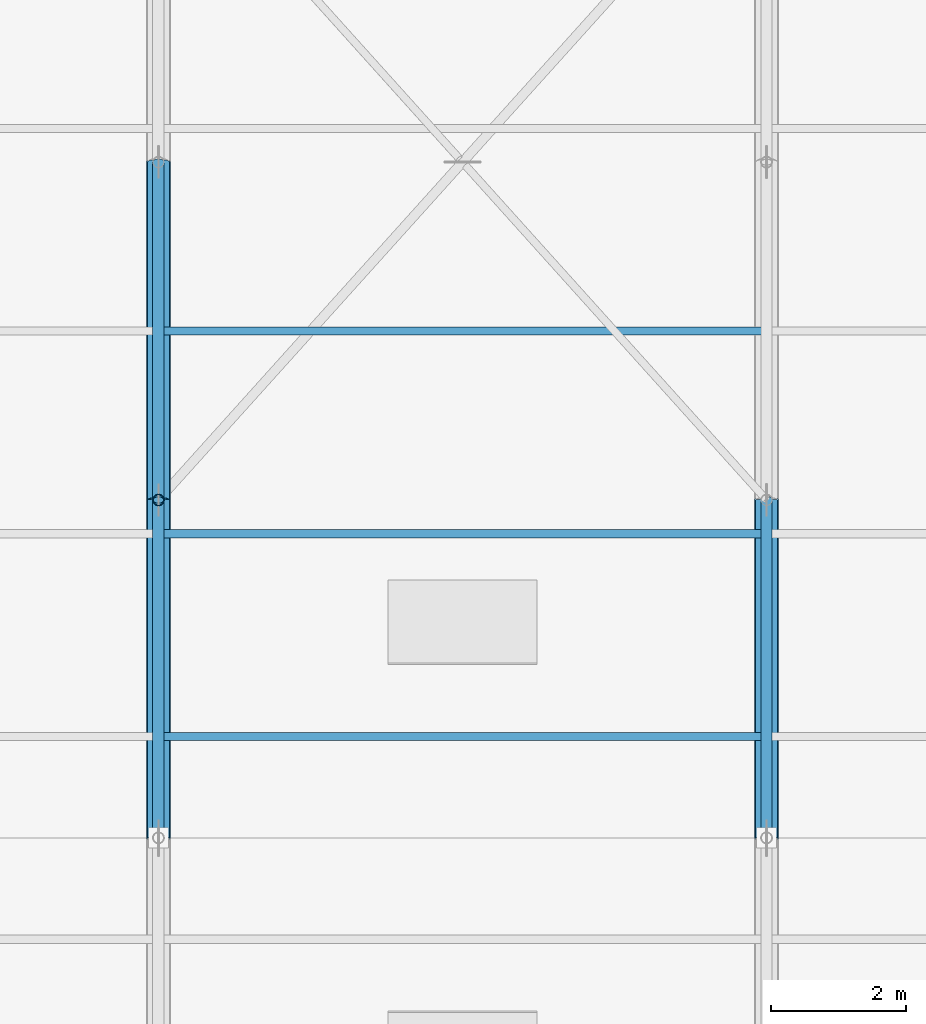
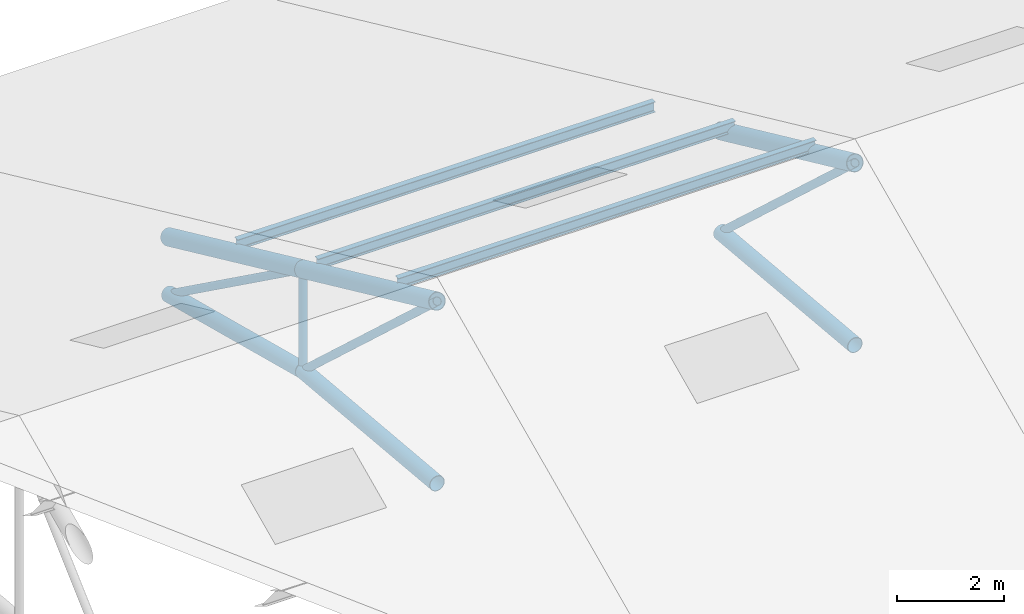
# One storey, part 22 of 107: 13 members.
"""IFC4 building model written with IfcOpenShell, lengths in metres."""

from ifc_helpers import new_model, si_unit, derived_unit, direction, frame, origin, origin_2d, place, context, subcontext, project, spatial, hollow_circle, i_section, extrude, material, material_profile, profile_set, type_object, element, save


model = new_model("IFC4")

# Units and contexts
model_context = context("Model", 3, precision=1e-05, world=origin(), true_north=direction((0.0, 1.0)))
body_context = subcontext(model_context, "Body", "Model", "MODEL_VIEW")
ifc_project = project(units=[si_unit("LENGTHUNIT", "METRE"), si_unit("AREAUNIT", "SQUARE_METRE"), si_unit("VOLUMEUNIT", "CUBIC_METRE"), si_unit("PLANEANGLEUNIT", "RADIAN"), si_unit("MASSUNIT", "GRAM", prefix="KILO"), si_unit("THERMODYNAMICTEMPERATUREUNIT", "KELVIN"), si_unit("TIMEUNIT", "SECOND"), derived_unit("THERMALTRANSMITTANCEUNIT", [(si_unit("MASSUNIT", "GRAM", prefix="KILO"), 1), (si_unit("THERMODYNAMICTEMPERATUREUNIT", "KELVIN"), -1), (si_unit("TIMEUNIT", "SECOND"), -3)])], contexts=[model_context])

# Site, building, storey
site_placement = place(None, origin())
site = spatial("IfcSite", under=ifc_project, at=site_placement, CompositionType="ELEMENT")
building_placement = place(site_placement, origin())
building = spatial("IfcBuilding", under=site, at=building_placement, Name="Cambertide Market Hall", CompositionType="ELEMENT")
storey_placement = place(building_placement, frame((0.0, 0.0, 18.300048828125)))
storey = spatial("IfcBuildingStorey", under=building, at=storey_placement, Name="RF", CompositionType="ELEMENT", Elevation=18.300048828125)

# Members
ifc_material_1 = material(Name="Steel S355", Category="steel")
ifc_material_profile_1 = material_profile(ifc_material_1, hollow_circle(Radius=0.161865234375, WallThickness=0.010009765625, at=origin_2d()), Name="CHS 323.9x10")
ifc_profile_set_1 = profile_set([ifc_material_profile_1], Name="Steel S355")
member_type_1 = type_object("IfcMemberType", Name="Arched Truss Chord CHS 323.9x10", PredefinedType="CHORD", material=ifc_profile_set_1)
member_1_placement = place(storey_placement, frame((69.0, 72.0, -4.5), z_axis=(0.0, 0.9958792443, -0.090689198761), x_axis=(-1.0, 0.0, 0.0)))
element("IfcMember", 1, at=member_1_placement, inside=storey, type_object=member_type_1, Name="Roof Truss 4 Arched Bottom Chord 5", PredefinedType="CHORD", context=body_context, shape_type="SweptSolid", body=[
    extrude(hollow_circle(Radius=0.161865234375, WallThickness=0.010009765625, at=origin_2d()), origin(), (0.0, 0.0, 1.0), 5.020751953125),
])
member_2_placement = place(storey_placement, frame((69.0, 77.0, -4.955322265625), z_axis=(0.0, 0.968015607618, -0.250889982678), x_axis=(-1.0, 0.0, 0.0)))
element("IfcMember", 2, at=member_2_placement, inside=storey, type_object=member_type_1, Name="Roof Truss 4 Arched Bottom Chord 6", PredefinedType="CHORD", context=body_context, shape_type="SweptSolid", body=[
    extrude(hollow_circle(Radius=0.161865234375, WallThickness=0.010009765625, at=origin_2d()), origin(), (0.0, 0.0, 1.0), 5.165283203125),
])
member_3_placement = place(storey_placement, frame((78.0, 72.0, -4.5), z_axis=(0.0, 0.9958792443, -0.090689198761), x_axis=(-1.0, 0.0, 0.0)))
element("IfcMember", 3, at=member_3_placement, inside=storey, type_object=member_type_1, Name="Roof Truss 5 Arched Bottom Chord 5", PredefinedType="CHORD", context=body_context, shape_type="SweptSolid", body=[
    extrude(hollow_circle(Radius=0.161865234375, WallThickness=0.010009765625, at=origin_2d()), origin(), (0.0, 0.0, 1.0), 5.020751953125),
])
ifc_material_2 = material(Name="Steel S355", Category="steel")
ifc_material_profile_2 = material_profile(ifc_material_2, hollow_circle(Radius=0.177734375, WallThickness=0.012451171875, at=origin_2d()), Name="CHS 355.6x12.5")
ifc_profile_set_2 = profile_set([ifc_material_profile_2], Name="Steel S355")
member_type_2 = type_object("IfcMemberType", Name="Arched Truss Chord CHS 355.6x12.5", PredefinedType="CHORD", material=ifc_profile_set_2)
for number, where, z_axis, x_axis, name in (
    (4, (69.0, 72.0, -0.35009765625), (0.0, 0.908487084298, -0.417912930721), (-1.0, 0.0, 0.0), "Roof Truss 4 Top Chord 5"),
    (5, (69.0, 77.0, -2.650146484375), (0.0, 0.908503925861, -0.417876317461), (-1.0, 0.0, 0.0), "Roof Truss 4 Top Chord 6"),
    (6, (78.0, 72.0, -0.35009765625), (0.0, 0.908487084298, -0.417912930721), (-1.0, 0.0, 0.0), "Roof Truss 5 Top Chord 5"),
):
    element("IfcMember", number, at=place(storey_placement, frame(where, z_axis=z_axis, x_axis=x_axis)), inside=storey, type_object=member_type_2, Name=name, PredefinedType="CHORD", context=body_context, shape_type="SweptSolid", body=[
        extrude(hollow_circle(Radius=0.177734375, WallThickness=0.012451171875, at=origin_2d()), origin(), (0.0, 0.0, 1.0), 5.503662109375),
    ])
ifc_material_3 = material(Name="Steel S275", Category="steel")
ifc_material_profile_3 = material_profile(ifc_material_3, i_section(OverallWidth=0.1201171875, OverallDepth=0.239990234375, WebThickness=0.006103515625, FlangeThickness=0.009765625, FilletRadius=0.014892578125, at=origin_2d()), Name="IPE 240")
ifc_profile_set_3 = profile_set([ifc_material_profile_3], Name="Steel S275")
member_type_3 = type_object("IfcMemberType", Name="Roof Purlin IPE 240", PredefinedType="PURLIN", material=ifc_profile_set_3)
for number, where, z_axis, x_axis, name in (
    (7, (69.0, 73.5, -0.830078125), (1.0, 0.0, 0.0), (0.0, 1.0, 0.0), "Barrel Roof Purlin 4-09"),
    (8, (69.0, 76.5, -2.2099609375), (1.0, 0.0, 0.0), (0.0, 1.0, 0.0), "Barrel Roof Purlin 4-10"),
    (9, (69.0, 79.5, -3.590087890625), (1.0, 0.0, 0.0), (0.0, 1.0, 0.0), "Barrel Roof Purlin 4-11"),
):
    element("IfcMember", number, at=place(storey_placement, frame(where, z_axis=z_axis, x_axis=x_axis)), inside=storey, type_object=member_type_3, Name=name, PredefinedType="PURLIN", context=body_context, shape_type="SweptSolid", body=[
        extrude(i_section(OverallWidth=0.1201171875, OverallDepth=0.239990234375, WebThickness=0.006103515625, FlangeThickness=0.009765625, FilletRadius=0.014892578125, at=origin_2d()), origin(), (0.0, 0.0, 1.0), 9.0),
    ])
ifc_material_4 = material(Name="Steel S355", Category="steel")
ifc_material_profile_4 = material_profile(ifc_material_4, hollow_circle(Radius=0.084228515625, WallThickness=0.00634765625, at=origin_2d()), Name="CHS 168.3x6.3")
ifc_profile_set_4 = profile_set([ifc_material_profile_4], Name="Steel S355")
member_type_4 = type_object("IfcMemberType", Name="Structural Brace CHS 168.3x6.3", PredefinedType="BRACE", material=ifc_profile_set_4)
member_4_placement = place(storey_placement, frame((69.0, 72.0, -0.35009765625), z_axis=(0.0, 0.73554793102, -0.677472686662), x_axis=(-1.0, 0.0, 0.0)))
element("IfcMember", 10, at=member_4_placement, inside=storey, type_object=member_type_4, Name="Roof Truss 4 Web Diagonal 5", PredefinedType="BRACE", context=body_context, shape_type="SweptSolid", body=[
    extrude(hollow_circle(Radius=0.084228515625, WallThickness=0.00634765625, at=origin_2d()), origin(), (0.0, 0.0, 1.0), 6.797607421875),
])
member_5_placement = place(storey_placement, frame((69.0, 77.0, -2.650146484375), z_axis=(0.0, 0.811451666424, -0.584419535144), x_axis=(-1.0, 0.0, 0.0)))
element("IfcMember", 11, at=member_5_placement, inside=storey, type_object=member_type_4, Name="Roof Truss 4 Web Diagonal 6", PredefinedType="BRACE", context=body_context, shape_type="SweptSolid", body=[
    extrude(hollow_circle(Radius=0.084228515625, WallThickness=0.00634765625, at=origin_2d()), origin(), (0.0, 0.0, 1.0), 6.161865234375),
])
member_6_placement = place(storey_placement, frame((69.0, 77.0, -4.955322265625), z_axis=(0.0, 0.0, 1.0), x_axis=(1.0, 0.0, 0.0)))
element("IfcMember", 12, at=member_6_placement, inside=storey, type_object=member_type_4, Name="Roof Truss 4 Web Post 6", PredefinedType="BRACE", context=body_context, shape_type="SweptSolid", body=[
    extrude(hollow_circle(Radius=0.084228515625, WallThickness=0.00634765625, at=origin_2d()), origin(), (0.0, 0.0, 1.0), 2.30517578125),
])
member_7_placement = place(storey_placement, frame((78.0, 72.0, -0.35009765625), z_axis=(0.0, 0.73554793102, -0.677472686662), x_axis=(-1.0, 0.0, 0.0)))
element("IfcMember", 13, at=member_7_placement, inside=storey, type_object=member_type_4, Name="Roof Truss 5 Web Diagonal 5", PredefinedType="BRACE", context=body_context, shape_type="SweptSolid", body=[
    extrude(hollow_circle(Radius=0.084228515625, WallThickness=0.00634765625, at=origin_2d()), origin(), (0.0, 0.0, 1.0), 6.797607421875),
])

save(model, "model.ifc")
